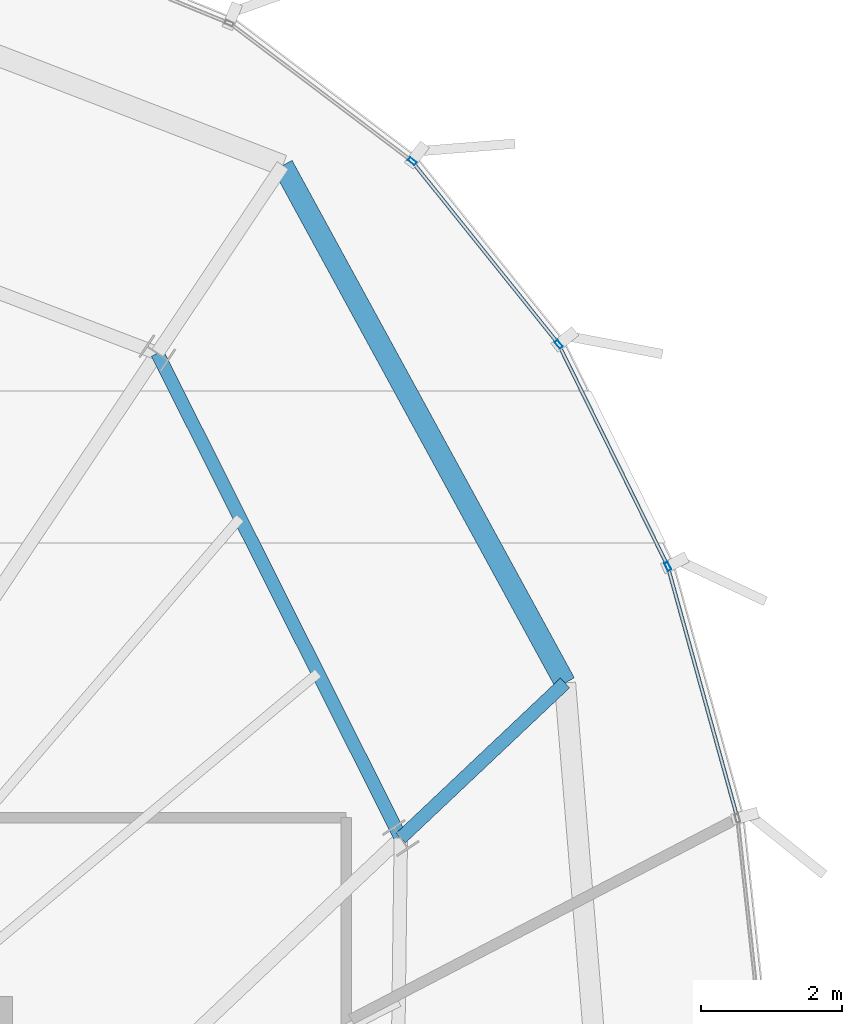
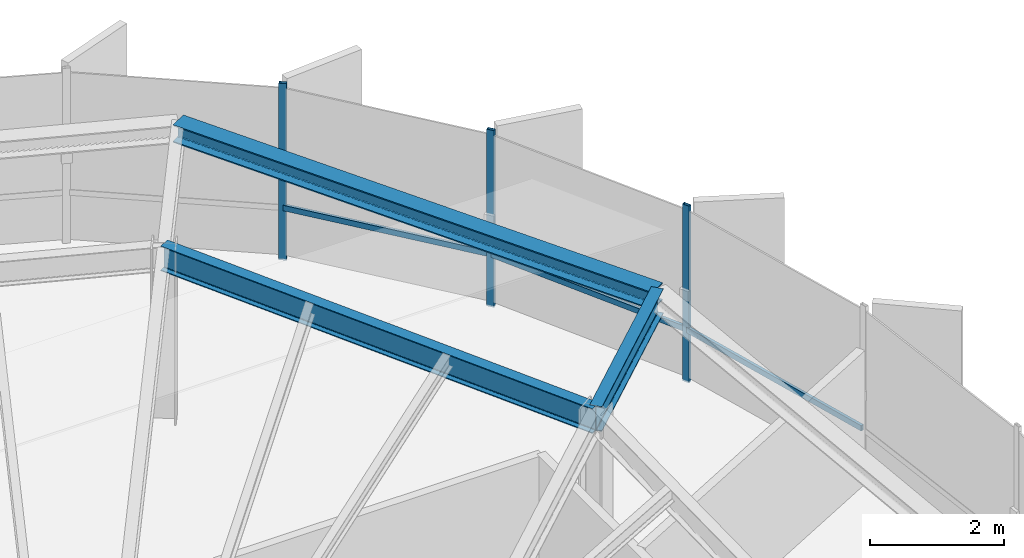
# One storey, part 23 of 31: 6 members, 3 beams, 1 element without a shape of its own.
"""IFC4 building model written with IfcOpenShell, lengths in metres."""

from ifc_helpers import new_model, si_unit, direction, frame, origin, origin_2d, place, context, subcontext, project, spatial, hollow_rectangle, i_section, extrude, source, transform, mapped, material, layer, layer_set, material_profile, profile_set, type_object, element, aggregate, save


model = new_model("IFC4")

# Units and contexts
model_context = context("Model", 3, precision=1e-05, world=origin(), true_north=direction((0.0, 1.0)))
body_context = subcontext(model_context, "Body", "Model", "MODEL_VIEW")
ifc_project = project(units=[si_unit("LENGTHUNIT", "METRE"), si_unit("AREAUNIT", "SQUARE_METRE"), si_unit("VOLUMEUNIT", "CUBIC_METRE"), si_unit("PLANEANGLEUNIT", "RADIAN"), si_unit("MASSUNIT", "GRAM", prefix="KILO"), si_unit("THERMODYNAMICTEMPERATUREUNIT", "KELVIN")], contexts=[model_context])

# Site, building, storey
site_placement = place(None, origin())
site = spatial("IfcSite", under=ifc_project, at=site_placement, CompositionType="ELEMENT")
building_placement = place(site_placement, origin())
building = spatial("IfcBuilding", under=site, at=building_placement, Name="Kethvar Cultural Tower", CompositionType="ELEMENT")
storey_placement = place(building_placement, frame((0.0, 0.0, 276.699951171875)))
storey = spatial("IfcBuildingStorey", under=building, at=storey_placement, Name="L73", CompositionType="ELEMENT", Elevation=276.699951171875)

# Beams
ifc_material_1 = material(Name="Steel S355J2", Category="steel")
ifc_material_profile_1 = material_profile(ifc_material_1, i_section(OverallWidth=0.18994140625, OverallDepth=0.449951171875, WebThickness=0.009521484375, FlangeThickness=0.0146484375, FilletRadius=0.02099609375, at=origin_2d()), Name="Steel S355J2 — IPE450")
ifc_profile_set_1 = profile_set([ifc_material_profile_1], Name="Steel S355J2 — IPE450")
beam_type_1 = type_object("IfcBeamType", Name="BM-IPE450", PredefinedType="BEAM", material=ifc_profile_set_1)
shared_shape_1 = source(origin(), body_context, "Body", "SweptSolid", [
    extrude(i_section(OverallWidth=0.18994140625, OverallDepth=0.449951171875, WebThickness=0.009521484375, FlangeThickness=0.0146484375, FilletRadius=0.02099609375, at=origin_2d()), origin(), (0.0, 0.0, 1.0), 3.199951171875),
])
beam_1_placement = place(storey_placement, frame((61.32568359375, 37.505859375, 2.983154296875), z_axis=(0.727146433404, 0.686482384616, 0.0), x_axis=(-0.686482384616, 0.727146433404, 0.0)))
element("IfcBeam", 1, at=beam_1_placement, inside=storey, type_object=beam_type_1, Name="L73 Perimeter Cantilever Beam RC-02", PredefinedType="BEAM", context=body_context, shape_type="MappedRepresentation", body=[
    mapped(shared_shape_1, transform((0.0, 0.0, 0.0), scale=1.0)),
])
shared_shape_2 = source(origin(), body_context, "Body", "SweptSolid", [
    extrude(i_section(OverallWidth=0.18994140625, OverallDepth=0.449951171875, WebThickness=0.009521484375, FlangeThickness=0.0146484375, FilletRadius=0.02099609375, at=origin_2d()), origin(), (0.0, 0.0, 1.0), 7.68701171875),
])
beam_2_placement = place(storey_placement, frame((61.32568359375, 37.505859375, 2.983154296875), z_axis=(-0.448864354142, 0.893599905763, 0.0), x_axis=(-0.893599905763, -0.448864354142, 0.0)))
element("IfcBeam", 2, at=beam_2_placement, inside=storey, type_object=beam_type_1, Name="L73 Column Ring Tie Beam CR-02", PredefinedType="BEAM", context=body_context, shape_type="MappedRepresentation", body=[
    mapped(shared_shape_2, transform((0.0, 0.0, 0.0), scale=1.0)),
])
ifc_material_profile_2 = material_profile(ifc_material_1, i_section(OverallWidth=0.300048828125, OverallDepth=0.320068359375, WebThickness=0.011474609375, FlangeThickness=0.0205078125, FilletRadius=0.027099609375, at=origin_2d()), Name="Steel S355J2 — HEB320")
ifc_profile_set_2 = profile_set([ifc_material_profile_2], Name="Steel S355J2 — HEB320")
beam_type_2 = type_object("IfcBeamType", Name="BM-SP320", PredefinedType="SPANDREL", material=ifc_profile_set_2)
shared_shape_3 = source(origin(), body_context, "Body", "SweptSolid", [
    extrude(i_section(OverallWidth=0.300048828125, OverallDepth=0.320068359375, WebThickness=0.011474609375, FlangeThickness=0.0205078125, FilletRadius=0.027099609375, at=origin_2d()), origin(), (0.0, 0.0, 1.0), 8.35302734375),
])
beam_3_placement = place(storey_placement, frame((63.652587890625, 39.70263671875, 3.048095703125), z_axis=(-0.478811173891, 0.877917911742, 0.0), x_axis=(-0.877917911742, -0.478811173891, 0.0)))
element("IfcBeam", 3, at=beam_3_placement, inside=storey, type_object=beam_type_2, Name="L73 Perimeter Spandrel Beam SP-02", PredefinedType="SPANDREL", context=body_context, shape_type="MappedRepresentation", body=[
    mapped(shared_shape_3, transform((0.0, 0.0, 0.0), scale=1.0)),
])

# Curtain wall, members
ifc_material_2 = material(Name="Aluminium 6063-T6", Category="aluminium")
ifc_layer = layer(ifc_material_2, 0.179931640625, Name="Aluminium 6063-T6", Category="aluminium")
ifc_layer_set = layer_set([ifc_layer], Name="Aluminium 6063-T6 (180 mm)")
curtain_wall_type = type_object("IfcCurtainWallType", Name="CW-SYS-05-Z56", PredefinedType="NOTDEFINED", material=ifc_layer_set)
curtain_wall_placement = place(storey_placement, origin())
curtain_wall = element("IfcCurtainWall", 4, at=curtain_wall_placement, inside=storey, type_object=curtain_wall_type, Name="L73 Curtain Wall Run 06", PredefinedType="NOTDEFINED")
ifc_material_profile_3 = material_profile(ifc_material_2, hollow_rectangle(XDim=0.054931640625, YDim=0.1201171875, WallThickness=0.00390625, at=origin_2d()), Name="Aluminium 6063-T6 — RHS120x55x4")
ifc_profile_set_3 = profile_set([ifc_material_profile_3], Name="Aluminium 6063-T6 — RHS120x55x4")
member_type_1 = type_object("IfcMemberType", Name="CW-SYS-05-Z56-MUL", PredefinedType="MULLION", material=ifc_profile_set_3)
shared_shape_4 = source(origin(), body_context, "Body", "SweptSolid", [
    extrude(hollow_rectangle(XDim=0.054931640625, YDim=0.1201171875, WallThickness=0.00390625, at=origin_2d()), origin(), (0.0, 0.0, 1.0), 3.2099609375),
])
member_1_placement = place(storey_placement, frame((65.109619140625, 41.3544921875, 0.0), z_axis=(0.0, 0.0, 1.0), x_axis=(-0.897258369674, -0.441505852792, 0.0)))
member_1 = element("IfcMember", 5, at=member_1_placement, type_object=member_type_1, Name="CW-L73-R06 Mullion 4", PredefinedType="MULLION", context=body_context, shape_type="MappedRepresentation", body=[
    mapped(shared_shape_4, transform((0.0, 0.0, 0.0), scale=1.0)),
])
member_2_placement = place(storey_placement, frame((63.56396484375, 44.501220703125, 0.0), z_axis=(0.0, 0.0, 1.0), x_axis=(-0.780059243489, -0.625705662949, 0.0)))
member_2 = element("IfcMember", 6, at=member_2_placement, type_object=member_type_1, Name="CW-L73-R06 Mullion 5", PredefinedType="MULLION", context=body_context, shape_type="MappedRepresentation", body=[
    mapped(shared_shape_4, transform((0.0, 0.0, 0.0), scale=1.0)),
])
member_3_placement = place(storey_placement, frame((61.4873046875, 47.09521484375, 0.0), z_axis=(0.0, 0.0, 1.0), x_axis=(-0.60338893827, -0.797447044745, 0.0)))
member_3 = element("IfcMember", 7, at=member_3_placement, type_object=member_type_1, Name="CW-L73-R06 Mullion 6", PredefinedType="MULLION", context=body_context, shape_type="MappedRepresentation", body=[
    mapped(shared_shape_4, transform((0.0, 0.0, 0.0), scale=1.0)),
])
ifc_material_profile_4 = material_profile(ifc_material_2, hollow_rectangle(XDim=0.050048828125, YDim=0.10009765625, WallThickness=0.00390625, at=origin_2d()), Name="Aluminium 6063-T6 — RHS100x50x4")
ifc_profile_set_4 = profile_set([ifc_material_profile_4], Name="Aluminium 6063-T6 — RHS100x50x4")
member_type_2 = type_object("IfcMemberType", Name="CW-SYS-05-Z56-TRN", PredefinedType="USERDEFINED", material=ifc_profile_set_4)
shared_shape_5 = source(origin(), body_context, "Body", "SweptSolid", [
    extrude(hollow_rectangle(XDim=0.050048828125, YDim=0.10009765625, WallThickness=0.00390625, at=origin_2d()), origin(), (0.0, 0.0, 1.0), 3.268310546875),
])
member_4_placement = place(storey_placement, frame((63.539306640625, 44.531982421875, 0.949951171875), z_axis=(-0.625678391534, 0.780081117812, 0.0), x_axis=(-0.780081117812, -0.625678391534, 0.0)))
member_4 = element("IfcMember", 8, at=member_4_placement, type_object=member_type_2, Name="CW-L73-R06 Transom 5", ObjectType="TRANSOM", PredefinedType="USERDEFINED", context=body_context, shape_type="MappedRepresentation", body=[
    mapped(shared_shape_5, transform((0.0, 0.0, 0.0), scale=1.0)),
])
shared_shape_6 = source(origin(), body_context, "Body", "SweptSolid", [
    extrude(hollow_rectangle(XDim=0.050048828125, YDim=0.10009765625, WallThickness=0.00390625, at=origin_2d()), origin(), (0.0, 0.0, 1.0), 3.642822265625),
])
member_5_placement = place(storey_placement, frame((66.0859375, 37.8232421875, 0.949951171875), z_axis=(-0.266931750972, 0.963715435345, 0.0), x_axis=(-0.963715435345, -0.266931750972, 0.0)))
member_5 = element("IfcMember", 9, at=member_5_placement, type_object=member_type_2, Name="CW-L73-R06 Transom 3", ObjectType="TRANSOM", PredefinedType="USERDEFINED", context=body_context, shape_type="MappedRepresentation", body=[
    mapped(shared_shape_6, transform((0.0, 0.0, 0.0), scale=1.0)),
])
shared_shape_7 = source(origin(), body_context, "Body", "SweptSolid", [
    extrude(hollow_rectangle(XDim=0.050048828125, YDim=0.10009765625, WallThickness=0.00390625, at=origin_2d()), origin(), (0.0, 0.0, 1.0), 3.4482421875),
])
member_6_placement = place(storey_placement, frame((65.09228515625, 41.39013671875, 0.949951171875), z_axis=(-0.441512174981, 0.897255258744, 0.0), x_axis=(-0.897255258744, -0.441512174981, 0.0)))
member_6 = element("IfcMember", 10, at=member_6_placement, type_object=member_type_2, Name="CW-L73-R06 Transom 4", ObjectType="TRANSOM", PredefinedType="USERDEFINED", context=body_context, shape_type="MappedRepresentation", body=[
    mapped(shared_shape_7, transform((0.0, 0.0, 0.0), scale=1.0)),
])
aggregate(curtain_wall, [member_1, member_2, member_3, member_5, member_6, member_4])

save(model, "model.ifc")
